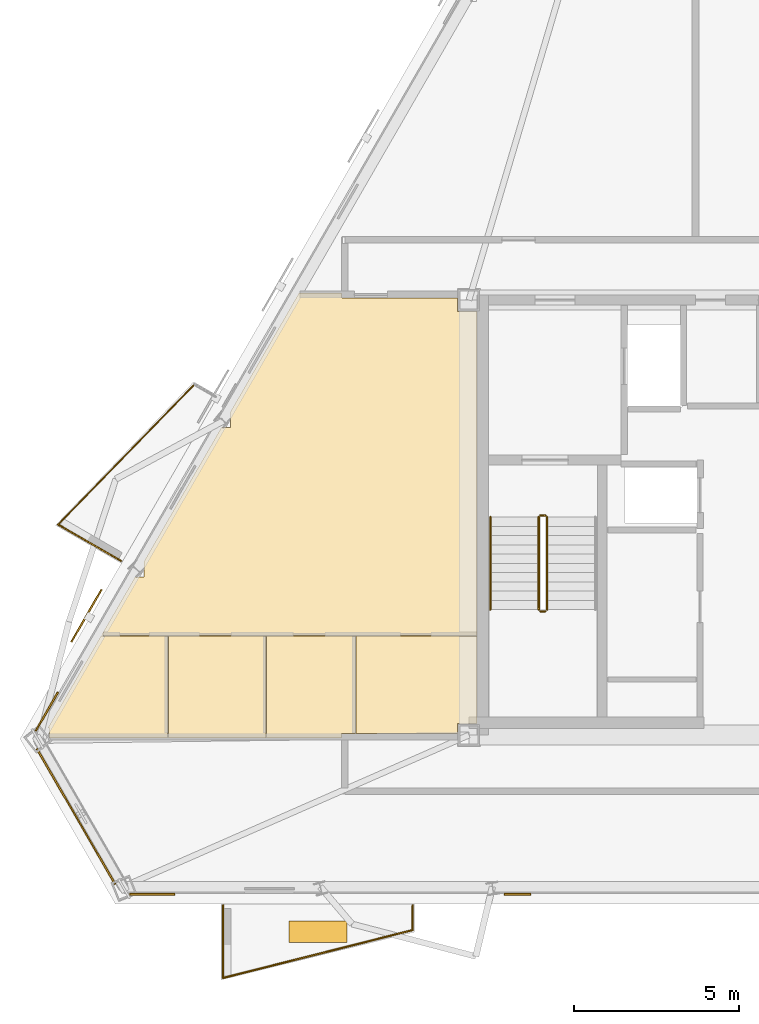
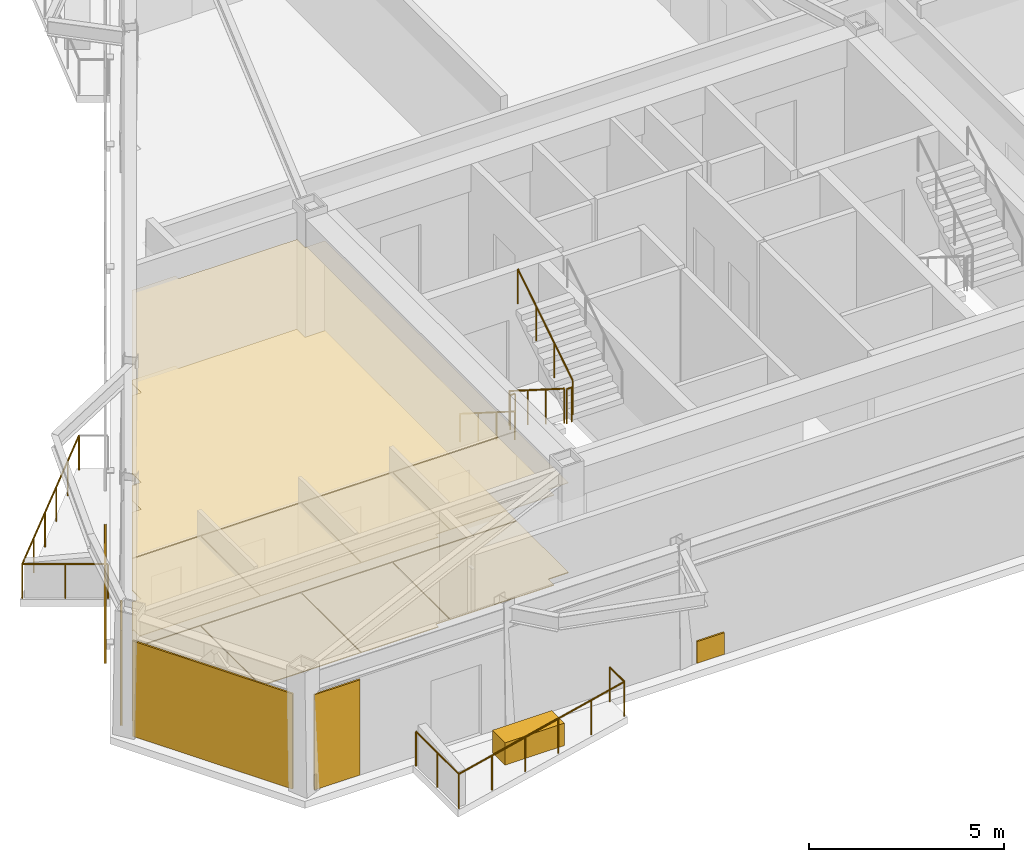
# One storey, part 6 of 9: 15 coverings, 10 railings, 1 shading device.
"""IFC4 building model written with IfcOpenShell, lengths in metres."""

from ifc_helpers import new_model, si_unit, direction, frame, origin, origin_2d, place, context, subcontext, project, spatial, polyline, rectangle, circle, outline, extrude, material, layer, layer_set, type_object, element, save


model = new_model("IFC4")

# Units and contexts
model_context = context("Model", 3, precision=1e-05, world=origin(), true_north=direction((0.0, 1.0)))
body_context = subcontext(model_context, "Body", "Model", "MODEL_VIEW")
ifc_project = project(units=[si_unit("LENGTHUNIT", "METRE"), si_unit("AREAUNIT", "SQUARE_METRE"), si_unit("VOLUMEUNIT", "CUBIC_METRE"), si_unit("PLANEANGLEUNIT", "RADIAN"), si_unit("MASSUNIT", "GRAM", prefix="KILO")], contexts=[model_context])

# Site, building, storey
site_placement = place(None, origin())
site = spatial("IfcSite", under=ifc_project, at=site_placement, CompositionType="ELEMENT")
building_placement = place(site_placement, origin())
building = spatial("IfcBuilding", under=site, at=building_placement, Name="Oramaril Tower", CompositionType="ELEMENT")
storey_placement = place(building_placement, frame((0.0, 0.0, 257.699951171875)))
storey = spatial("IfcBuildingStorey", under=building, at=storey_placement, Name="L68", CompositionType="ELEMENT", Elevation=257.699951171875)

# Coverings
ifc_material_1 = material(Name="Mineral Fibre Acoustic Ceiling")
ifc_layer_1 = layer(ifc_material_1, 0.02001953125)
ifc_layer_set_1 = layer_set([ifc_layer_1], Name="CVT-CEIL")
covering_type_1 = type_object("IfcCoveringType", Name="CVT-CEIL", PredefinedType="CEILING", material=ifc_layer_set_1)
covering_1_placement = place(storey_placement, frame((0.0, 0.0, 2.81201171875)))
element("IfcCovering", 1, at=covering_1_placement, inside=storey, type_object=covering_type_1, Name="L68 Acoustic Suspended Ceiling 4", PredefinedType="CEILING", context=body_context, shape_type="SweptSolid", body=[
    extrude(outline(polyline([(19.25927734375, 15.78271484375), (19.530517578125, 15.78271484375), (19.530517578125, 16.240478515625), (19.5234375, 16.240478515625), (21.86328125, 20.293212890625), (22.134521484375, 20.293212890625), (22.134521484375, 20.744873046875), (22.1240234375, 20.744873046875), (24.21240234375, 24.362060546875), (25.5, 24.362060546875), (25.5, 24.239990234375), (25.5, 24.238037109375), (25.50048828125, 24.236083984375), (25.5009765625, 24.234130859375), (25.50146484375, 24.232421875), (25.50244140625, 24.230712890625), (25.50341796875, 24.22900390625), (25.50439453125, 24.227294921875), (25.505859375, 24.225830078125), (25.50732421875, 24.224609375), (25.5087890625, 24.223388671875), (25.510498046875, 24.222412109375), (25.51220703125, 24.221435546875), (25.51416015625, 24.220947265625), (25.51611328125, 24.220458984375), (25.51806640625, 24.22021484375), (25.52001953125, 24.219970703125), (29.0048828125, 24.219970703125), (29.0048828125, 23.804931640625), (29.60009765625, 23.804931640625), (29.60009765625, 14.008056640625), (18.234619140625, 14.008056640625), (19.25927734375, 15.78271484375)])), origin(), (0.0, 0.0, 1.0), 0.02001953125),
])
covering_2_placement = place(storey_placement, frame((0.0, 0.0, 2.81201171875)))
element("IfcCovering", 2, at=covering_2_placement, inside=storey, type_object=covering_type_1, Name="L68 Acoustic Suspended Ceiling 5", PredefinedType="CEILING", context=body_context, shape_type="SweptSolid", body=[
    extrude(outline(polyline([(20.2392578125, 10.907958984375), (16.66796875, 10.907958984375), (16.66796875, 11.2060546875), (16.61669921875, 11.2060546875), (18.224609375, 13.99072265625), (18.22509765625, 13.990478515625), (18.226806640625, 13.989501953125), (18.228515625, 13.989013671875), (18.230712890625, 13.98828125), (18.232421875, 13.988037109375), (18.234619140625, 13.988037109375), (20.2392578125, 13.988037109375), (20.2392578125, 10.907958984375)])), origin(), (0.0, 0.0, 1.0), 0.02001953125),
])
covering_3_placement = place(storey_placement, frame((0.0, 0.0, 2.81201171875)))
element("IfcCovering", 3, at=covering_3_placement, inside=storey, type_object=covering_type_1, Name="L68 Acoustic Suspended Ceiling 6", PredefinedType="CEILING", context=body_context, shape_type="SweptSolid", body=[
    extrude(outline(polyline([(23.207763671875, 10.907958984375), (20.25927734375, 10.907958984375), (20.25927734375, 13.988037109375), (23.207763671875, 13.988037109375), (23.207763671875, 10.907958984375)])), origin(), (0.0, 0.0, 1.0), 0.02001953125),
])
covering_4_placement = place(storey_placement, frame((0.0, 0.0, 2.81201171875)))
element("IfcCovering", 4, at=covering_4_placement, inside=storey, type_object=covering_type_1, Name="L68 Acoustic Suspended Ceiling 7", PredefinedType="CEILING", context=body_context, shape_type="SweptSolid", body=[
    extrude(outline(polyline([(25.914306640625, 11.050048828125), (25.52001953125, 11.050048828125), (25.51806640625, 11.0498046875), (25.51611328125, 11.049560546875), (25.51416015625, 11.049072265625), (25.51220703125, 11.048583984375), (25.510498046875, 11.047607421875), (25.5087890625, 11.046630859375), (25.50732421875, 11.04541015625), (25.505859375, 11.044189453125), (25.50439453125, 11.042724609375), (25.50341796875, 11.041015625), (25.50244140625, 11.039306640625), (25.50146484375, 11.03759765625), (25.5009765625, 11.035888671875), (25.50048828125, 11.033935546875), (25.5, 11.031982421875), (25.5, 11.030029296875), (25.5, 10.907958984375), (23.227783203125, 10.907958984375), (23.227783203125, 13.988037109375), (25.914306640625, 13.988037109375), (25.914306640625, 11.050048828125)])), origin(), (0.0, 0.0, 1.0), 0.02001953125),
])
covering_5_placement = place(storey_placement, frame((0.0, 0.0, 2.81201171875)))
element("IfcCovering", 5, at=covering_5_placement, inside=storey, type_object=covering_type_1, Name="L68 Acoustic Suspended Ceiling 8", PredefinedType="CEILING", context=body_context, shape_type="SweptSolid", body=[
    extrude(outline(polyline([(29.60009765625, 11.344970703125), (29.0048828125, 11.344970703125), (29.0048828125, 11.050048828125), (25.934326171875, 11.050048828125), (25.934326171875, 13.988037109375), (29.60009765625, 13.988037109375), (29.60009765625, 11.344970703125)])), origin(), (0.0, 0.0, 1.0), 0.02001953125),
])
ifc_material_2 = material(Name="Warm Cream Limestone", Category="masonry")
ifc_layer_2 = layer(ifc_material_2, 0.050048828125)
ifc_layer_set_2 = layer_set([ifc_layer_2], Name="CVT-CLD")
covering_type_2 = type_object("IfcCoveringType", Name="CVT-CLD", PredefinedType="CLADDING", material=ifc_layer_set_2)
covering_6_placement = place(storey_placement, frame((17.470458984375, 8.535888671875, 0.0400390625), z_axis=(0.0, 0.0, 1.0), x_axis=(0.500009068969, -0.866020167749, 0.0)))
element("IfcCovering", 6, at=covering_6_placement, inside=storey, type_object=covering_type_2, Name="L68 Warm Cream Limestone Cladding", PredefinedType="CLADDING", context=body_context, shape_type="SweptSolid", body=[
    extrude(rectangle(XDim=4.733642578125, YDim=0.050048828125, at=origin_2d()), origin(), (0.0, 0.0, 1.0), 2.97802734375),
])
covering_7_placement = place(storey_placement, frame((19.7744140625, 6.185546875, 0.0400390625), z_axis=(0.0, 0.0, 1.0), x_axis=(1.0, 0.0, 0.0)))
element("IfcCovering", 7, at=covering_7_placement, inside=storey, type_object=covering_type_2, Name="L68 Warm Cream Limestone Cladding", PredefinedType="CLADDING", context=body_context, shape_type="SweptSolid", body=[
    extrude(rectangle(XDim=1.35009765625, YDim=0.050048828125, at=origin_2d()), origin(), (0.0, 0.0, 1.0), 2.97802734375),
])
covering_8_placement = place(storey_placement, frame((30.812744140625, 6.185546875, 0.0400390625), z_axis=(0.0, 0.0, 1.0), x_axis=(1.0, 0.0, 0.0)))
element("IfcCovering", 8, at=covering_8_placement, inside=storey, type_object=covering_type_2, Name="L68 Warm Cream Limestone Spandrel Cladding", PredefinedType="CLADDING", context=body_context, shape_type="SweptSolid", body=[
    extrude(rectangle(XDim=0.800048828125, YDim=0.050048828125, at=origin_2d()), origin(), (0.0, 0.0, 1.0), 0.679931640625),
])
covering_9_placement = place(storey_placement, frame((16.5869140625, 11.706298828125, 0.0400390625), z_axis=(0.0, 0.0, 1.0), x_axis=(-0.5, -0.866025403784, 0.0)))
element("IfcCovering", 9, at=covering_9_placement, inside=storey, type_object=covering_type_2, Name="L68 Warm Cream Limestone Cladding", PredefinedType="CLADDING", context=body_context, shape_type="SweptSolid", body=[
    extrude(rectangle(XDim=1.35009765625, YDim=0.050048828125, at=origin_2d()), origin(), (0.0, 0.0, 1.0), 2.97802734375),
])
covering_10_placement = place(storey_placement, frame((24.78369140625, 5.05712890625, 0.0), z_axis=(0.0, 0.0, 1.0), x_axis=(1.0, 0.0, 0.0)))
element("IfcCovering", 10, at=covering_10_placement, inside=storey, type_object=covering_type_2, Name="L68 Structural Tree Planter Box L68-BAL-S1", PredefinedType="CLADDING", context=body_context, shape_type="SweptSolid", body=[
    extrude(rectangle(XDim=1.75, YDim=0.64990234375, at=origin_2d()), origin(), (0.0, 0.0, 1.0), 0.699951171875),
])
ifc_material_3 = material(Name="Honed Quartzite Stone Flooring", Category="masonry")
ifc_layer_3 = layer(ifc_material_3, 0.02490234375)
ifc_layer_set_3 = layer_set([ifc_layer_3], Name="CVT-FLR")
covering_type_3 = type_object("IfcCoveringType", Name="CVT-FLR", PredefinedType="FLOORING", material=ifc_layer_set_3)
covering_11_placement = place(storey_placement, origin())
element("IfcCovering", 11, at=covering_11_placement, inside=storey, type_object=covering_type_3, Name="L68 Honed Stone Floor Finish 4", PredefinedType="FLOORING", context=body_context, shape_type="SweptSolid", body=[
    extrude(outline(polyline([(19.25927734375, 15.78271484375), (19.530517578125, 15.78271484375), (19.530517578125, 16.240478515625), (19.5234375, 16.240478515625), (21.86328125, 20.293212890625), (22.134521484375, 20.293212890625), (22.134521484375, 20.744873046875), (22.1240234375, 20.744873046875), (24.21240234375, 24.362060546875), (25.5, 24.362060546875), (25.5, 24.239990234375), (25.5, 24.238037109375), (25.50048828125, 24.236083984375), (25.5009765625, 24.234130859375), (25.50146484375, 24.232421875), (25.50244140625, 24.230712890625), (25.50341796875, 24.22900390625), (25.50439453125, 24.227294921875), (25.505859375, 24.225830078125), (25.50732421875, 24.224609375), (25.5087890625, 24.223388671875), (25.510498046875, 24.222412109375), (25.51220703125, 24.221435546875), (25.51416015625, 24.220947265625), (25.51611328125, 24.220458984375), (25.51806640625, 24.22021484375), (25.52001953125, 24.219970703125), (29.0048828125, 24.219970703125), (29.0048828125, 23.804931640625), (29.60009765625, 23.804931640625), (29.60009765625, 14.008056640625), (18.234619140625, 14.008056640625), (19.25927734375, 15.78271484375)])), origin(), (0.0, 0.0, 1.0), 0.025146484375),
])
covering_12_placement = place(storey_placement, origin())
element("IfcCovering", 12, at=covering_12_placement, inside=storey, type_object=covering_type_3, Name="L68 Honed Stone Floor Finish 5", PredefinedType="FLOORING", context=body_context, shape_type="SweptSolid", body=[
    extrude(outline(polyline([(20.2392578125, 10.907958984375), (16.66796875, 10.907958984375), (16.66796875, 11.2060546875), (16.61669921875, 11.2060546875), (18.224609375, 13.99072265625), (18.22509765625, 13.990478515625), (18.226806640625, 13.989501953125), (18.228515625, 13.989013671875), (18.230712890625, 13.98828125), (18.232421875, 13.988037109375), (18.234619140625, 13.988037109375), (20.2392578125, 13.988037109375), (20.2392578125, 10.907958984375)])), origin(), (0.0, 0.0, 1.0), 0.025146484375),
])
covering_13_placement = place(storey_placement, origin())
element("IfcCovering", 13, at=covering_13_placement, inside=storey, type_object=covering_type_3, Name="L68 Honed Stone Floor Finish 6", PredefinedType="FLOORING", context=body_context, shape_type="SweptSolid", body=[
    extrude(outline(polyline([(23.207763671875, 10.907958984375), (20.25927734375, 10.907958984375), (20.25927734375, 13.988037109375), (23.207763671875, 13.988037109375), (23.207763671875, 10.907958984375)])), origin(), (0.0, 0.0, 1.0), 0.025146484375),
])
covering_14_placement = place(storey_placement, origin())
element("IfcCovering", 14, at=covering_14_placement, inside=storey, type_object=covering_type_3, Name="L68 Honed Stone Floor Finish 7", PredefinedType="FLOORING", context=body_context, shape_type="SweptSolid", body=[
    extrude(outline(polyline([(25.914306640625, 11.050048828125), (25.52001953125, 11.050048828125), (25.51806640625, 11.0498046875), (25.51611328125, 11.049560546875), (25.51416015625, 11.049072265625), (25.51220703125, 11.048583984375), (25.510498046875, 11.047607421875), (25.5087890625, 11.046630859375), (25.50732421875, 11.04541015625), (25.505859375, 11.044189453125), (25.50439453125, 11.042724609375), (25.50341796875, 11.041015625), (25.50244140625, 11.039306640625), (25.50146484375, 11.03759765625), (25.5009765625, 11.035888671875), (25.50048828125, 11.033935546875), (25.5, 11.031982421875), (25.5, 11.030029296875), (25.5, 10.907958984375), (23.227783203125, 10.907958984375), (23.227783203125, 13.988037109375), (25.914306640625, 13.988037109375), (25.914306640625, 11.050048828125)])), origin(), (0.0, 0.0, 1.0), 0.025146484375),
])
covering_15_placement = place(storey_placement, origin())
element("IfcCovering", 15, at=covering_15_placement, inside=storey, type_object=covering_type_3, Name="L68 Honed Stone Floor Finish 8", PredefinedType="FLOORING", context=body_context, shape_type="SweptSolid", body=[
    extrude(outline(polyline([(29.60009765625, 11.344970703125), (29.0048828125, 11.344970703125), (29.0048828125, 11.050048828125), (25.934326171875, 11.050048828125), (25.934326171875, 13.988037109375), (29.60009765625, 13.988037109375), (29.60009765625, 11.344970703125)])), origin(), (0.0, 0.0, 1.0), 0.025146484375),
])

# Railings
ifc_material_4 = material(Name="Stainless Steel 316L", Category="steel")
railing_type_1 = type_object("IfcRailingType", Name="RLT-GRD", PredefinedType="GUARDRAIL", material=ifc_material_4)
railing_1_placement = place(storey_placement, frame((27.648681640625, 5.845703125, 0.0)))
element("IfcRailing", 16, at=railing_1_placement, inside=storey, type_object=railing_type_1, Name="L68 Balcony Guardrail L68-BAL-S1.1", PredefinedType="GUARDRAIL", context=body_context, shape_type="SweptSolid", body=[
    extrude(circle(Radius=0.02392578125, at=origin_2d()), frame((0.0, 0.0, 1.076171875), z_axis=(0.0, -1.0, 0.0), x_axis=(1.0, 0.0, 0.0)), (0.0, 0.0, 1.0), 0.7421875),
    extrude(circle(Radius=0.02099609375, at=origin_2d()), origin(), (0.0, 0.0, 1.0), 1.052001953125),
    extrude(circle(Radius=0.02099609375, at=origin_2d()), frame((0.0, -0.7421875, 0.0)), (0.0, 0.0, 1.0), 1.052001953125),
])
railing_2_placement = place(storey_placement, frame((27.648681640625, 5.103515625, 0.0)))
element("IfcRailing", 17, at=railing_2_placement, inside=storey, type_object=railing_type_1, Name="L68 Balcony Guardrail L68-BAL-S1.2", PredefinedType="GUARDRAIL", context=body_context, shape_type="SweptSolid", body=[
    extrude(circle(Radius=0.02392578125, at=origin_2d()), frame((0.0, 0.0, 1.076171875), z_axis=(-0.969443611257, -0.245314256807, 0.0), x_axis=(0.245314256807, -0.969443611257, 0.0)), (0.0, 0.0, 1.0), 5.91064453125),
    extrude(circle(Radius=0.02099609375, at=origin_2d()), origin(), (0.0, 0.0, 1.0), 1.052001953125),
    extrude(circle(Radius=0.02099609375, at=origin_2d()), frame((-1.14599609375, -0.2900390625, 0.0)), (0.0, 0.0, 1.0), 1.052001953125),
    extrude(circle(Radius=0.02099609375, at=origin_2d()), frame((-2.2919921875, -0.580078125, 0.0)), (0.0, 0.0, 1.0), 1.052001953125),
    extrude(circle(Radius=0.02099609375, at=origin_2d()), frame((-3.43798828125, -0.869873046875, 0.0)), (0.0, 0.0, 1.0), 1.052001953125),
    extrude(circle(Radius=0.02099609375, at=origin_2d()), frame((-4.583984375, -1.159912109375, 0.0)), (0.0, 0.0, 1.0), 1.052001953125),
    extrude(circle(Radius=0.02099609375, at=origin_2d()), frame((-5.72998046875, -1.449951171875, 0.0)), (0.0, 0.0, 1.0), 1.052001953125),
])
railing_3_placement = place(storey_placement, frame((21.918701171875, 3.653564453125, 0.0)))
element("IfcRailing", 18, at=railing_3_placement, inside=storey, type_object=railing_type_1, Name="L68 Balcony Guardrail L68-BAL-S1.3", PredefinedType="GUARDRAIL", context=body_context, shape_type="SweptSolid", body=[
    extrude(circle(Radius=0.02392578125, at=origin_2d()), frame((0.0, 0.0, 1.076171875), z_axis=(0.0, 1.0, 0.0), x_axis=(-1.0, 0.0, 0.0)), (0.0, 0.0, 1.0), 2.192138671875),
    extrude(circle(Radius=0.02099609375, at=origin_2d()), origin(), (0.0, 0.0, 1.0), 1.052001953125),
    extrude(circle(Radius=0.02099609375, at=origin_2d()), frame((0.0, 1.09619140625, 0.0)), (0.0, 0.0, 1.0), 1.052001953125),
    extrude(circle(Radius=0.02099609375, at=origin_2d()), frame((0.0, 2.192138671875, 0.0)), (0.0, 0.0, 1.0), 1.052001953125),
])
railing_4_placement = place(storey_placement, frame((18.8271484375, 16.2666015625, 0.0)))
element("IfcRailing", 19, at=railing_4_placement, inside=storey, type_object=railing_type_1, Name="L68 Balcony Guardrail L68-BAL-NW2.1", PredefinedType="GUARDRAIL", context=body_context, shape_type="SweptSolid", body=[
    extrude(circle(Radius=0.02392578125, at=origin_2d()), frame((0.0, 0.0, 1.076171875), z_axis=(-0.866048343933, 0.499960264392, 0.0), x_axis=(-0.499960264392, -0.866048343933, 0.0)), (0.0, 0.0, 1.0), 2.192138671875),
    extrude(circle(Radius=0.02099609375, at=origin_2d()), origin(), (0.0, 0.0, 1.0), 1.052001953125),
    extrude(circle(Radius=0.02099609375, at=origin_2d()), frame((-0.94921875, 0.5478515625, 0.0)), (0.0, 0.0, 1.0), 1.052001953125),
    extrude(circle(Radius=0.02099609375, at=origin_2d()), frame((-1.8984375, 1.095947265625, 0.0)), (0.0, 0.0, 1.0), 1.052001953125),
])
railing_5_placement = place(storey_placement, frame((16.9287109375, 17.362548828125, 0.0)))
element("IfcRailing", 20, at=railing_5_placement, inside=storey, type_object=railing_type_1, Name="L68 Balcony Guardrail L68-BAL-NW2.2", PredefinedType="GUARDRAIL", context=body_context, shape_type="SweptSolid", body=[
    extrude(circle(Radius=0.02392578125, at=origin_2d()), frame((0.0, 0.0, 1.076171875), z_axis=(0.697207560153, 0.716869317285, 0.0), x_axis=(-0.716869317285, 0.697207560153, 0.0)), (0.0, 0.0, 1.0), 5.910400390625),
    extrude(circle(Radius=0.02099609375, at=origin_2d()), origin(), (0.0, 0.0, 1.0), 1.052001953125),
    extrude(circle(Radius=0.02099609375, at=origin_2d()), frame((0.82421875, 0.847412109375, 0.0)), (0.0, 0.0, 1.0), 1.052001953125),
    extrude(circle(Radius=0.02099609375, at=origin_2d()), frame((1.6484375, 1.69482421875, 0.0)), (0.0, 0.0, 1.0), 1.052001953125),
    extrude(circle(Radius=0.02099609375, at=origin_2d()), frame((2.472412109375, 2.542236328125, 0.0)), (0.0, 0.0, 1.0), 1.052001953125),
    extrude(circle(Radius=0.02099609375, at=origin_2d()), frame((3.296630859375, 3.3896484375, 0.0)), (0.0, 0.0, 1.0), 1.052001953125),
    extrude(circle(Radius=0.02099609375, at=origin_2d()), frame((4.120849609375, 4.237060546875, 0.0)), (0.0, 0.0, 1.0), 1.052001953125),
])
railing_6_placement = place(storey_placement, frame((31.4599609375, 17.590087890625, 0.17724609375)))
element("IfcRailing", 21, at=railing_6_placement, inside=storey, type_object=railing_type_1, Name="L68 ST-1 stair guard 1", PredefinedType="GUARDRAIL", context=body_context, shape_type="SweptSolid", body=[
    extrude(circle(Radius=0.02392578125, at=origin_2d()), frame((0.0, 0.0, 1.076171875), z_axis=(0.0, -0.844908973607, 0.534910110503), x_axis=(1.0, 0.0, 0.0)), (0.0, 0.0, 1.0), 3.31396484375),
    extrude(circle(Radius=0.02099609375, at=origin_2d()), origin(), (0.0, 0.0, 1.0), 1.052001953125),
    extrude(circle(Radius=0.02099609375, at=origin_2d()), frame((0.0, -0.933349609375, 0.5908203125)), (0.0, 0.0, 1.0), 1.052001953125),
    extrude(circle(Radius=0.02099609375, at=origin_2d()), frame((0.0, -1.86669921875, 1.181884765625)), (0.0, 0.0, 1.0), 1.052001953125),
    extrude(circle(Radius=0.02099609375, at=origin_2d()), frame((0.0, -2.800048828125, 1.772705078125)), (0.0, 0.0, 1.0), 1.052001953125),
])
railing_7_placement = place(storey_placement, frame((31.510009765625, 14.739990234375, 1.949951171875)))
element("IfcRailing", 22, at=railing_7_placement, inside=storey, type_object=railing_type_1, Name="L68 ST-1 stair guard 2", PredefinedType="GUARDRAIL", context=body_context, shape_type="SweptSolid", body=[
    extrude(circle(Radius=0.02392578125, at=origin_2d()), frame((0.0, 0.0, 1.076171875), z_axis=(1.0, 0.0, 0.0), x_axis=(0.0, 1.0, 0.0)), (0.0, 0.0, 1.0), 0.14990234375),
    extrude(circle(Radius=0.02099609375, at=origin_2d()), origin(), (0.0, 0.0, 1.0), 1.052001953125),
    extrude(circle(Radius=0.02099609375, at=origin_2d()), frame((0.14990234375, 0.0, 0.0)), (0.0, 0.0, 1.0), 1.052001953125),
])
railing_8_placement = place(storey_placement, frame((31.7099609375, 14.7900390625, 2.12744140625)))
element("IfcRailing", 23, at=railing_8_placement, inside=storey, type_object=railing_type_1, Name="L68 ST-1 stair guard 3", PredefinedType="GUARDRAIL", context=body_context, shape_type="SweptSolid", body=[
    extrude(circle(Radius=0.02392578125, at=origin_2d()), frame((0.0, 0.0, 1.076171875), z_axis=(0.0, 0.844908973607, 0.534910110503), x_axis=(-1.0, 0.0, 0.0)), (0.0, 0.0, 1.0), 3.31396484375),
    extrude(circle(Radius=0.02099609375, at=origin_2d()), origin(), (0.0, 0.0, 1.0), 1.052001953125),
    extrude(circle(Radius=0.02099609375, at=origin_2d()), frame((0.0, 0.933349609375, 0.5908203125)), (0.0, 0.0, 1.0), 1.052001953125),
    extrude(circle(Radius=0.02099609375, at=origin_2d()), frame((0.0, 1.86669921875, 1.181884765625)), (0.0, 0.0, 1.0), 1.052001953125),
    extrude(circle(Radius=0.02099609375, at=origin_2d()), frame((0.0, 2.800048828125, 1.772705078125)), (0.0, 0.0, 1.0), 1.052001953125),
])
railing_9_placement = place(storey_placement, frame((31.510009765625, 17.639892578125, 0.0)))
element("IfcRailing", 24, at=railing_9_placement, inside=storey, type_object=railing_type_1, Name="L68 ST-1 stair guard 4", PredefinedType="GUARDRAIL", context=body_context, shape_type="SweptSolid", body=[
    extrude(circle(Radius=0.02392578125, at=origin_2d()), frame((0.0, 0.0, 1.076171875), z_axis=(1.0, 0.0, 0.0), x_axis=(0.0, 1.0, 0.0)), (0.0, 0.0, 1.0), 0.14990234375),
    extrude(circle(Radius=0.02099609375, at=origin_2d()), origin(), (0.0, 0.0, 1.0), 1.052001953125),
    extrude(circle(Radius=0.02099609375, at=origin_2d()), frame((0.14990234375, 0.0, 0.0)), (0.0, 0.0, 1.0), 1.052001953125),
])
ifc_material_5 = material(Name="Stainless Steel 316L", Category="steel")
railing_type_2 = type_object("IfcRailingType", Name="RLT-HND", PredefinedType="HANDRAIL", material=ifc_material_5)
railing_10_placement = place(storey_placement, frame((30.0, 17.590087890625, 0.17724609375)))
element("IfcRailing", 25, at=railing_10_placement, inside=storey, type_object=railing_type_2, Name="L68 ST-1 stair handrail 1", PredefinedType="HANDRAIL", context=body_context, shape_type="SweptSolid", body=[
    extrude(circle(Radius=0.02392578125, at=origin_2d()), frame((0.0, 0.0, 0.8759765625), z_axis=(0.0, -0.844908973607, 0.534910110503), x_axis=(1.0, 0.0, 0.0)), (0.0, 0.0, 1.0), 3.31396484375),
    extrude(circle(Radius=0.02099609375, at=origin_2d()), origin(), (0.0, 0.0, 1.0), 0.851806640625),
    extrude(circle(Radius=0.02099609375, at=origin_2d()), frame((0.0, -0.933349609375, 0.5908203125)), (0.0, 0.0, 1.0), 0.851806640625),
    extrude(circle(Radius=0.02099609375, at=origin_2d()), frame((0.0, -1.86669921875, 1.181884765625)), (0.0, 0.0, 1.0), 0.851806640625),
    extrude(circle(Radius=0.02099609375, at=origin_2d()), frame((0.0, -2.800048828125, 1.772705078125)), (0.0, 0.0, 1.0), 0.851806640625),
])

# Shading device
shading_device_placement = place(storey_placement, frame((17.785888671875, 14.606689453125, -0.02001953125), z_axis=(0.0, 0.0, 1.0), x_axis=(-0.5, -0.866025403784, 0.0)))
element("IfcShadingDevice", 26, at=shading_device_placement, inside=storey, Name="L68 Perforated Ceramic Solar Screen", ObjectType="SCREEN", PredefinedType="USERDEFINED", context=body_context, shape_type="SweptSolid", body=[
    extrude(rectangle(XDim=1.8330078125, YDim=0.050048828125, at=origin_2d()), origin(), (0.0, 0.0, 1.0), 3.05810546875),
])

save(model, "model.ifc")
